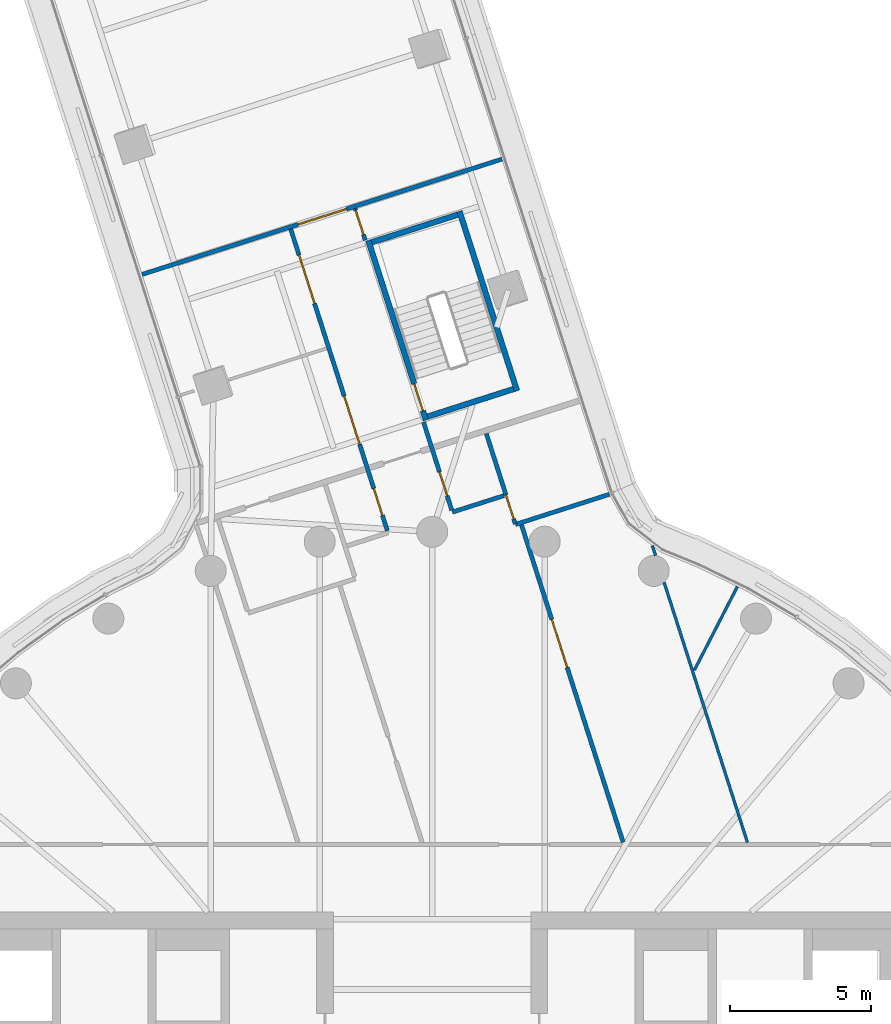
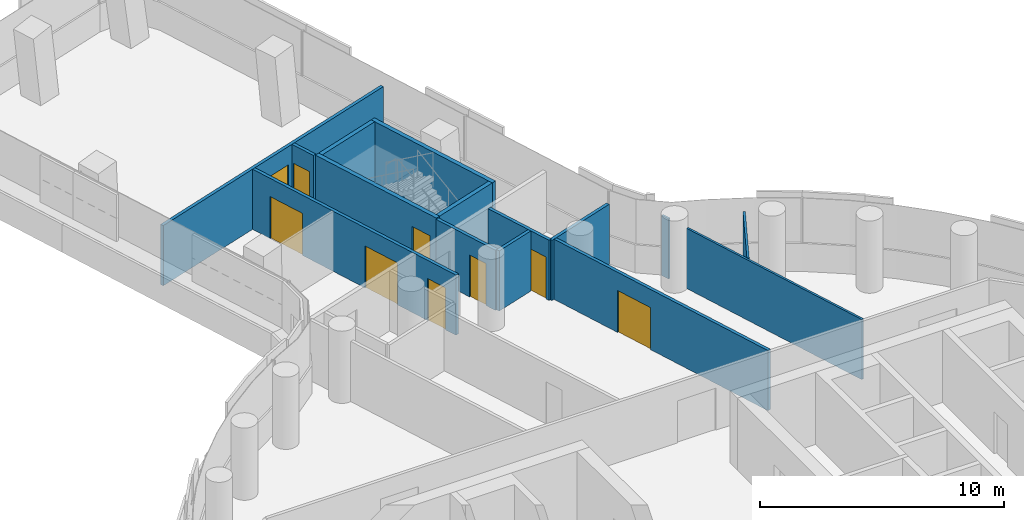
# One storey, part 22 of 30: 15 walls, 9 doors, 9 openings.
"""IFC4 building model written with IfcOpenShell, lengths in metres."""

from ifc_helpers import new_model, si_unit, direction, frame, frame_2d, origin, place, context, subcontext, project, spatial, polyline, rectangle, outline, extrude, material, layer, layer_set, type_object, element, fill, save


model = new_model("IFC4")

# Units and contexts
model_context = context("Model", 3, precision=1e-05, world=origin(), true_north=direction((0.0, 1.0)))
body_context = subcontext(model_context, "Body", "Model", "MODEL_VIEW")
ifc_project = project(units=[si_unit("LENGTHUNIT", "METRE"), si_unit("AREAUNIT", "SQUARE_METRE"), si_unit("VOLUMEUNIT", "CUBIC_METRE"), si_unit("PLANEANGLEUNIT", "RADIAN"), si_unit("MASSUNIT", "GRAM", prefix="KILO")], contexts=[model_context])

# Site, building, storey
site_placement = place(None, origin())
site = spatial("IfcSite", under=ifc_project, at=site_placement, CompositionType="ELEMENT")
building_placement = place(site_placement, origin())
building = spatial("IfcBuilding", under=site, at=building_placement, Name="Tamarind Cross Interchange Tower", CompositionType="ELEMENT")
storey_placement = place(building_placement, frame((0.0, 0.0, 98.5)))
storey = spatial("IfcBuildingStorey", under=building, at=storey_placement, Name="L23", CompositionType="ELEMENT", Elevation=98.5)

# Walls
ifc_material_1 = material(Name="Gypsum board partition on steel studs", Category="steel")
ifc_layer_1 = layer(ifc_material_1, 0.10009765625)
ifc_layer_set_1 = layer_set([ifc_layer_1], Name="Gypsum board partition on steel studs")
wall_type_1 = type_object("IfcWallType", Name="Partition 100 mm EI 90", PredefinedType="PARTITIONING", material=ifc_layer_set_1)
wall_1_placement = place(storey_placement, frame((7.81640625, 22.51220703125, 0.0), z_axis=(0.0, 0.0, 1.0), x_axis=(0.304657370026, -0.952462013357, 0.0)))
element("IfcWall", 1, at=wall_1_placement, inside=storey, type_object=wall_type_1, Name="Partition L23-026", PredefinedType="PARTITIONING", context=body_context, shape_type="SweptSolid", body=[
    extrude(rectangle(XDim=0.374267578125, YDim=0.10009765625, at=frame_2d((0.18701171875, 0.0))), origin(), (0.0, 0.0, 1.0), 3.010009765625),
])
wall_2_placement = place(storey_placement, frame((8.232177734375, 21.213623046875, 0.0), z_axis=(0.0, 0.0, 1.0), x_axis=(0.305097010863, -0.952321276651, 0.0)))
element("IfcWall", 2, at=wall_2_placement, inside=storey, type_object=wall_type_1, Name="Partition L23-027", PredefinedType="PARTITIONING", context=body_context, shape_type="SweptSolid", body=[
    extrude(rectangle(XDim=9.704833984375, YDim=0.10009765625, at=frame_2d((4.8525390625, 0.0))), origin(), (0.0, 0.0, 1.0), 3.010009765625),
])
wall_3_placement = place(storey_placement, frame((9.309326171875, 18.089111328125, 0.0), z_axis=(0.0, 0.0, 1.0), x_axis=(0.457657037475, 0.889128807344, 0.0)))
element("IfcWall", 3, at=wall_3_placement, inside=storey, type_object=wall_type_1, Name="Partition L23-081", PredefinedType="PARTITIONING", context=body_context, shape_type="SweptSolid", body=[
    extrude(rectangle(XDim=3.337890625, YDim=0.10009765625, at=frame_2d((1.6689453125, 0.0))), origin(), (0.0, 0.0, 1.0), 3.010009765625),
])

# Wall, openings, doors
ifc_layer_2 = layer(ifc_material_1, 0.14990234375)
ifc_layer_set_2 = layer_set([ifc_layer_2], Name="Gypsum board partition on steel studs")
wall_type_2 = type_object("IfcWallType", Name="Partition 150 mm EI 120", PredefinedType="PARTITIONING", material=ifc_layer_set_2)
wall_4_placement = place(storey_placement, frame((-5.025146484375, 33.752685546875, 0.0), z_axis=(0.0, 0.0, 1.0), x_axis=(0.305060744487, -0.952332894619, 0.0)))
wall_4 = element("IfcWall", 4, at=wall_4_placement, inside=storey, type_object=wall_type_2, Name="Partition L23-012", PredefinedType="PARTITIONING", context=body_context, shape_type="SweptSolid", body=[
    extrude(rectangle(XDim=11.250732421875, YDim=0.14990234375, at=frame_2d((5.62548828125, 0.0))), origin(), (0.0, 0.0, 1.0), 3.010009765625),
])
opening_1_placement = place(wall_4_placement, frame((9.675048828125, 0.0, 0.0)))
opening_1 = element("IfcOpeningElement", 5, at=opening_1_placement, cuts=wall_4, Name="Opening D04", PredefinedType="OPENING", context=body_context, shape_type="SweptSolid", body=[
    extrude(rectangle(XDim=1.0, YDim=2.10009765625, at=frame_2d((0.5, 1.050048828125))), frame((0.0, 0.0849609375, 0.0), z_axis=(0.0, -1.0, 0.0), x_axis=(1.0, 0.0, 0.0)), (0.0, 0.0, 1.0), 0.169921875),
])
opening_2_placement = place(wall_4_placement, frame((0.97509765625, 0.0, 0.0)))
opening_2 = element("IfcOpeningElement", 6, at=opening_2_placement, cuts=wall_4, Name="Opening D05", PredefinedType="OPENING", context=body_context, shape_type="SweptSolid", body=[
    extrude(rectangle(XDim=1.800048828125, YDim=2.10009765625, at=frame_2d((0.89990234375, 1.050048828125))), frame((0.0, 0.0849609375, 0.0), z_axis=(0.0, -1.0, 0.0), x_axis=(1.0, 0.0, 0.0)), (0.0, 0.0, 1.0), 0.169921875),
])
opening_3_placement = place(wall_4_placement, frame((6.2255859375, 0.0, 0.0)))
opening_3 = element("IfcOpeningElement", 7, at=opening_3_placement, cuts=wall_4, Name="Opening D06", PredefinedType="OPENING", context=body_context, shape_type="SweptSolid", body=[
    extrude(rectangle(XDim=1.800048828125, YDim=2.10009765625, at=frame_2d((0.89990234375, 1.050048828125))), frame((0.0, 0.0849609375, 0.0), z_axis=(0.0, -1.0, 0.0), x_axis=(1.0, 0.0, 0.0)), (0.0, 0.0, 1.0), 0.169921875),
])
ifc_material_2 = material(Name="Fire-resisting door set")
door_type_1 = type_object("IfcDoorType", Name="Interior door 1000 x 2100 FD60S", OperationType="SINGLE_SWING_LEFT", PredefinedType="DOOR", material=ifc_material_2)
door_1_placement = place(opening_1_placement, frame((1.0, 0.0, 0.0), z_axis=(0.0, 0.0, 1.0), x_axis=(-1.0, 0.0, 0.0)))
door_1 = element("IfcDoor", 8, at=door_1_placement, inside=storey, type_object=door_type_1, Name="Door D04", OperationType="SINGLE_SWING_RIGHT", OverallHeight=2.10009765625, OverallWidth=1.0, PredefinedType="DOOR", context=body_context, shape_type="SweptSolid", body=[
    extrude(rectangle(XDim=1.0, YDim=2.10009765625, at=frame_2d((0.5, 1.050048828125))), frame((0.0, 0.02490234375, 0.0), z_axis=(0.0, -1.0, 0.0), x_axis=(1.0, 0.0, 0.0)), (0.0, 0.0, 1.0), 0.050048828125),
])
fill(opening_1, door_1)
door_type_2 = type_object("IfcDoorType", Name="Interior door 1800 x 2100 FD60S", OperationType="DOUBLE_DOOR_SINGLE_SWING", PredefinedType="DOOR", material=ifc_material_2)
door_2_placement = place(opening_2_placement, frame((1.800048828125, 0.0, 0.0), z_axis=(0.0, 0.0, 1.0), x_axis=(-1.0, 0.0, 0.0)))
door_2 = element("IfcDoor", 9, at=door_2_placement, inside=storey, type_object=door_type_2, Name="Door D05", OperationType="DOUBLE_DOOR_SINGLE_SWING", OverallHeight=2.10009765625, OverallWidth=1.800048828125, PredefinedType="DOOR", context=body_context, shape_type="SweptSolid", body=[
    extrude(rectangle(XDim=1.800048828125, YDim=2.10009765625, at=frame_2d((0.89990234375, 1.050048828125))), frame((0.0, 0.02490234375, 0.0), z_axis=(0.0, -1.0, 0.0), x_axis=(1.0, 0.0, 0.0)), (0.0, 0.0, 1.0), 0.050048828125),
])
fill(opening_2, door_2)
door_3_placement = place(opening_3_placement, frame((1.800048828125, 0.0, 0.0), z_axis=(0.0, 0.0, 1.0), x_axis=(-1.0, 0.0, 0.0)))
door_3 = element("IfcDoor", 10, at=door_3_placement, inside=storey, type_object=door_type_2, Name="Door D06", OperationType="DOUBLE_DOOR_SINGLE_SWING", OverallHeight=2.10009765625, OverallWidth=1.800048828125, PredefinedType="DOOR", context=body_context, shape_type="SweptSolid", body=[
    extrude(rectangle(XDim=1.800048828125, YDim=2.10009765625, at=frame_2d((0.89990234375, 1.050048828125))), frame((0.0, 0.02490234375, 0.0), z_axis=(0.0, -1.0, 0.0), x_axis=(1.0, 0.0, 0.0)), (0.0, 0.0, 1.0), 0.050048828125),
])
fill(opening_3, door_3)

# Wall, opening, door
wall_5_placement = place(storey_placement, frame((-2.739013671875, 34.484619140625, 0.0), z_axis=(0.0, 0.0, 1.0), x_axis=(0.305022327236, -0.95234519996, 0.0)))
wall_5 = element("IfcWall", 11, at=wall_5_placement, inside=storey, type_object=wall_type_2, Name="Partition L23-015", PredefinedType="PARTITIONING", context=body_context, shape_type="SweptSolid", body=[
    extrude(rectangle(XDim=1.185302734375, YDim=0.14990234375, at=frame_2d((0.5927734375, 0.0))), origin(), (0.0, 0.0, 1.0), 3.010009765625),
])
opening_4_placement = place(wall_5_placement, frame((0.074951171875, 0.0, 0.0)))
opening_4 = element("IfcOpeningElement", 12, at=opening_4_placement, cuts=wall_5, Name="Opening D08", PredefinedType="OPENING", context=body_context, shape_type="SweptSolid", body=[
    extrude(rectangle(XDim=0.89990234375, YDim=2.10009765625, at=frame_2d((0.449951171875, 1.050048828125))), frame((0.0, 0.0849609375, 0.0), z_axis=(0.0, -1.0, 0.0), x_axis=(1.0, 0.0, 0.0)), (0.0, 0.0, 1.0), 0.169921875),
])
door_type_3 = type_object("IfcDoorType", Name="Interior door 900 x 2100 FD60S", OperationType="SINGLE_SWING_LEFT", PredefinedType="DOOR", material=ifc_material_2)
door_4_placement = place(opening_4_placement, origin())
door_4 = element("IfcDoor", 13, at=door_4_placement, inside=storey, type_object=door_type_3, Name="Door D08", OperationType="SINGLE_SWING_RIGHT", OverallHeight=2.10009765625, OverallWidth=0.89990234375, PredefinedType="DOOR", context=body_context, shape_type="SweptSolid", body=[
    extrude(rectangle(XDim=0.89990234375, YDim=2.10009765625, at=frame_2d((0.449951171875, 1.050048828125))), frame((0.0, 0.02490234375, 0.0), z_axis=(0.0, -1.0, 0.0), x_axis=(1.0, 0.0, 0.0)), (0.0, 0.0, 1.0), 0.050048828125),
])
fill(opening_4, door_4)

wall_6_placement = place(storey_placement, frame((-0.30908203125, 26.899658203125, 0.0), z_axis=(0.0, 0.0, 1.0), x_axis=(0.305150439053, -0.952304158106, 0.0)))
wall_6 = element("IfcWall", 14, at=wall_6_placement, inside=storey, type_object=wall_type_2, Name="Partition L23-016", PredefinedType="PARTITIONING", context=body_context, shape_type="SweptSolid", body=[
    extrude(rectangle(XDim=3.285888671875, YDim=0.14990234375, at=frame_2d((1.64306640625, 0.0))), origin(), (0.0, 0.0, 1.0), 3.010009765625),
])
opening_5_placement = place(wall_6_placement, frame((1.8603515625, 0.0, 0.0)))
opening_5 = element("IfcOpeningElement", 15, at=opening_5_placement, cuts=wall_6, Name="Opening D09", PredefinedType="OPENING", context=body_context, shape_type="SweptSolid", body=[
    extrude(rectangle(XDim=0.89990234375, YDim=2.10009765625, at=frame_2d((0.449951171875, 1.050048828125))), frame((0.0, 0.0849609375, 0.0), z_axis=(0.0, -1.0, 0.0), x_axis=(1.0, 0.0, 0.0)), (0.0, 0.0, 1.0), 0.169921875),
])
door_5_placement = place(opening_5_placement, origin())
door_5 = element("IfcDoor", 16, at=door_5_placement, inside=storey, type_object=door_type_3, Name="Door D09", OperationType="SINGLE_SWING_LEFT", OverallHeight=2.10009765625, OverallWidth=0.89990234375, PredefinedType="DOOR", context=body_context, shape_type="SweptSolid", body=[
    extrude(rectangle(XDim=0.89990234375, YDim=2.10009765625, at=frame_2d((0.449951171875, 1.050048828125))), frame((0.0, 0.02490234375, 0.0), z_axis=(0.0, -1.0, 0.0), x_axis=(1.0, 0.0, 0.0)), (0.0, 0.0, 1.0), 0.050048828125),
])
fill(opening_5, door_5)

wall_7_placement = place(storey_placement, frame((1.92138671875, 26.490234375, 0.0), z_axis=(0.0, 0.0, 1.0), x_axis=(0.304991265288, -0.952355148093, 0.0)))
wall_7 = element("IfcWall", 17, at=wall_7_placement, inside=storey, type_object=wall_type_2, Name="Partition L23-021", PredefinedType="PARTITIONING", context=body_context, shape_type="SweptSolid", body=[
    extrude(rectangle(XDim=3.3701171875, YDim=0.14990234375, at=frame_2d((1.68505859375, 0.0))), origin(), (0.0, 0.0, 1.0), 3.010009765625),
])
opening_6_placement = place(wall_7_placement, frame((2.290283203125, 0.0, 0.0)))
opening_6 = element("IfcOpeningElement", 18, at=opening_6_placement, cuts=wall_7, Name="Opening D12", PredefinedType="OPENING", context=body_context, shape_type="SweptSolid", body=[
    extrude(rectangle(XDim=0.89990234375, YDim=2.10009765625, at=frame_2d((0.449951171875, 1.050048828125))), frame((0.0, 0.0849609375, 0.0), z_axis=(0.0, -1.0, 0.0), x_axis=(1.0, 0.0, 0.0)), (0.0, 0.0, 1.0), 0.169921875),
])
door_6_placement = place(opening_6_placement, origin())
door_6 = element("IfcDoor", 19, at=door_6_placement, inside=storey, type_object=door_type_3, Name="Door D12", OperationType="SINGLE_SWING_LEFT", OverallHeight=2.10009765625, OverallWidth=0.89990234375, PredefinedType="DOOR", context=body_context, shape_type="SweptSolid", body=[
    extrude(rectangle(XDim=0.89990234375, YDim=2.10009765625, at=frame_2d((0.449951171875, 1.050048828125))), frame((0.0, 0.02490234375, 0.0), z_axis=(0.0, -1.0, 0.0), x_axis=(1.0, 0.0, 0.0)), (0.0, 0.0, 1.0), 0.050048828125),
])
fill(opening_6, door_6)

wall_8_placement = place(storey_placement, frame((3.1689453125, 23.251708984375, 0.0), z_axis=(0.0, 0.0, 1.0), x_axis=(0.305041437483, -0.952339079015, 0.0)))
wall_8 = element("IfcWall", 20, at=wall_8_placement, inside=storey, type_object=wall_type_2, Name="Partition L23-023", PredefinedType="PARTITIONING", context=body_context, shape_type="SweptSolid", body=[
    extrude(rectangle(XDim=11.834716796875, YDim=0.14990234375, at=frame_2d((5.91748046875, 0.0))), origin(), (0.0, 0.0, 1.0), 3.010009765625),
])
opening_7_placement = place(wall_8_placement, frame((3.52490234375, 0.0, 0.0)))
opening_7 = element("IfcOpeningElement", 21, at=opening_7_placement, cuts=wall_8, Name="Opening D16", PredefinedType="OPENING", context=body_context, shape_type="SweptSolid", body=[
    extrude(rectangle(XDim=1.800048828125, YDim=2.10009765625, at=frame_2d((0.89990234375, 1.050048828125))), frame((0.0, 0.0849609375, 0.0), z_axis=(0.0, -1.0, 0.0), x_axis=(1.0, 0.0, 0.0)), (0.0, 0.0, 1.0), 0.169921875),
])
door_7_placement = place(opening_7_placement, origin())
door_7 = element("IfcDoor", 22, at=door_7_placement, inside=storey, type_object=door_type_2, Name="Door D16", OperationType="DOUBLE_DOOR_SINGLE_SWING", OverallHeight=2.10009765625, OverallWidth=1.800048828125, PredefinedType="DOOR", context=body_context, shape_type="SweptSolid", body=[
    extrude(rectangle(XDim=1.800048828125, YDim=2.10009765625, at=frame_2d((0.89990234375, 1.050048828125))), frame((0.0, 0.02490234375, 0.0), z_axis=(0.0, -1.0, 0.0), x_axis=(1.0, 0.0, 0.0)), (0.0, 0.0, 1.0), 0.050048828125),
])
fill(opening_7, door_7)

wall_9_placement = place(storey_placement, frame((-10.301513671875, 32.14111328125, 0.0), z_axis=(0.0, 0.0, 1.0), x_axis=(0.952330286707, 0.305068885698, 0.0)))
wall_9 = element("IfcWall", 23, at=wall_9_placement, inside=storey, type_object=wall_type_2, Name="Partition L23-053", PredefinedType="PARTITIONING", context=body_context, shape_type="SweptSolid", body=[
    extrude(rectangle(XDim=13.416015625, YDim=0.14990234375, at=frame_2d((6.7080078125, 0.0))), origin(), (0.0, 0.0, 1.0), 3.010009765625),
])
opening_8_placement = place(wall_9_placement, frame((5.81640625, 0.0, 0.0)))
opening_8 = element("IfcOpeningElement", 24, at=opening_8_placement, cuts=wall_9, Name="Opening D29", PredefinedType="OPENING", context=body_context, shape_type="SweptSolid", body=[
    extrude(rectangle(XDim=1.800048828125, YDim=2.10009765625, at=frame_2d((0.89990234375, 1.050048828125))), frame((0.0, 0.0849609375, 0.0), z_axis=(0.0, -1.0, 0.0), x_axis=(1.0, 0.0, 0.0)), (0.0, 0.0, 1.0), 0.169921875),
])
door_8_placement = place(opening_8_placement, origin())
door_8 = element("IfcDoor", 25, at=door_8_placement, inside=storey, type_object=door_type_2, Name="Door D29", OperationType="DOUBLE_DOOR_SINGLE_SWING", OverallHeight=2.10009765625, OverallWidth=1.800048828125, PredefinedType="DOOR", context=body_context, shape_type="SweptSolid", body=[
    extrude(rectangle(XDim=1.800048828125, YDim=2.10009765625, at=frame_2d((0.89990234375, 1.050048828125))), frame((0.0, 0.02490234375, 0.0), z_axis=(0.0, -1.0, 0.0), x_axis=(1.0, 0.0, 0.0)), (0.0, 0.0, 1.0), 0.050048828125),
])
fill(opening_8, door_8)

# Walls
wall_10_placement = place(storey_placement, frame((0.716064453125, 23.698974609375, 0.0), z_axis=(0.0, 0.0, 1.0), x_axis=(0.952375473104, 0.304927791829, 0.0)))
element("IfcWall", 26, at=wall_10_placement, inside=storey, type_object=wall_type_2, Name="Partition L23-060", PredefinedType="PARTITIONING", context=body_context, shape_type="SweptSolid", body=[
    extrude(rectangle(XDim=1.92236328125, YDim=0.14990234375, at=frame_2d((0.961181640625, 0.0))), origin(), (0.0, 0.0, 1.0), 3.010009765625),
])
wall_11_placement = place(storey_placement, frame((2.9560546875, 23.261962890625, 0.0), z_axis=(0.0, 0.0, 1.0), x_axis=(0.952125735473, 0.30570669579, 0.0)))
element("IfcWall", 27, at=wall_11_placement, inside=storey, type_object=wall_type_2, Name="Partition L23-064", PredefinedType="PARTITIONING", context=body_context, shape_type="SweptSolid", body=[
    extrude(rectangle(XDim=3.501220703125, YDim=0.14990234375, at=frame_2d((1.75048828125, 0.0))), origin(), (0.0, 0.0, 1.0), 3.010009765625),
])

# Wall, opening, door
ifc_material_3 = material(Name="Concrete C40", Category="concrete")
ifc_layer_3 = layer(ifc_material_3, 0.199951171875)
ifc_layer_set_3 = layer_set([ifc_layer_3], Name="Concrete C40")
wall_type_3 = type_object("IfcWallType", Name="Stair shaft wall 200 mm Concrete C40", PredefinedType="SHEAR", material=ifc_layer_set_3)
wall_12_placement = place(storey_placement, frame((-0.226318359375, 26.9677734375, -0.139892578125), z_axis=(0.0, 0.0, 1.0), x_axis=(-0.305033541309, 0.952341608183, 0.0)))
wall_12 = element("IfcWall", 28, at=wall_12_placement, inside=storey, type_object=wall_type_3, Name="Core wall CWL-L23-ST4-H", PredefinedType="SHEAR", context=body_context, shape_type="SweptSolid", body=[
    extrude(rectangle(XDim=6.699951171875, YDim=0.199951171875, at=frame_2d((3.35009765625, 0.0))), origin(), (0.0, 0.0, 1.0), 3.14990234375),
])
opening_9_placement = place(wall_12_placement, frame((0.35009765625, 0.0, 0.0)))
opening_9 = element("IfcOpeningElement", 29, at=opening_9_placement, cuts=wall_12, Name="Opening ST4L23", PredefinedType="OPENING", context=body_context, shape_type="SweptSolid", body=[
    extrude(rectangle(XDim=1.0, YDim=2.10009765625, at=frame_2d((0.5, 1.050048828125))), frame((0.0, 0.10986328125, 0.0), z_axis=(0.0, -1.0, 0.0), x_axis=(1.0, 0.0, 0.0)), (0.0, 0.0, 1.0), 0.219970703125),
])
ifc_material_4 = material(Name="Steel, fire-resisting", Category="steel")
door_type_4 = type_object("IfcDoorType", Name="Core fire door 1000 x 2100 FD90", OperationType="SINGLE_SWING_LEFT", PredefinedType="DOOR", material=ifc_material_4)
door_9_placement = place(opening_9_placement, origin())
door_9 = element("IfcDoor", 30, at=door_9_placement, inside=storey, type_object=door_type_4, Name="L23 stair door ST4", OperationType="SINGLE_SWING_LEFT", OverallHeight=2.10009765625, OverallWidth=1.0, PredefinedType="DOOR", context=body_context, shape_type="SweptSolid", body=[
    extrude(rectangle(XDim=1.0, YDim=2.10009765625, at=frame_2d((0.5, 1.050048828125))), frame((0.0, 0.02490234375, 0.0), z_axis=(0.0, -1.0, 0.0), x_axis=(1.0, 0.0, 0.0)), (0.0, 0.0, 1.0), 0.050048828125),
])
fill(opening_9, door_9)

# Walls
wall_13_placement = place(storey_placement, frame((3.01171875, 28.0048828125, -0.139892578125), z_axis=(0.0, 0.0, 1.0), x_axis=(-0.305066589564, 0.952331022246, 0.0)))
element("IfcWall", 31, at=wall_13_placement, inside=storey, type_object=wall_type_3, Name="Core wall CWL-L23-ST4-C", PredefinedType="SHEAR", context=body_context, shape_type="SweptSolid", body=[
    extrude(rectangle(XDim=6.699951171875, YDim=0.199951171875, at=frame_2d((3.35009765625, 0.0))), origin(), (0.0, 0.0, 1.0), 3.14990234375),
])
wall_14_placement = place(storey_placement, frame((2.885986328125, 28.069580078125, -0.139892578125), z_axis=(0.0, 0.0, 1.0), x_axis=(-0.952347936583, -0.305013782781, 0.0)))
element("IfcWall", 32, at=wall_14_placement, inside=storey, type_object=wall_type_3, Name="Core wall CWL-L23-ST4-CE", PredefinedType="SHEAR", context=body_context, shape_type="SweptSolid", body=[
    extrude(rectangle(XDim=3.2001953125, YDim=0.199951171875, at=frame_2d((1.60009765625, 0.0))), origin(), (0.0, 0.0, 1.0), 3.14990234375),
])
wall_15_placement = place(storey_placement, frame((0.0, 0.0, -0.139892578125)))
element("IfcWall", 33, at=wall_15_placement, inside=storey, type_object=wall_type_3, Name="Core wall CWL-L23-ST4-CF", PredefinedType="SHEAR", context=body_context, shape_type="SweptSolid", body=[
    extrude(outline(polyline([(0.93359375, 34.16455078125), (0.87255859375, 34.35498046875), (-2.1748046875, 33.37890625), (-2.114013671875, 33.1884765625), (0.93359375, 34.16455078125)])), origin(), (0.0, 0.0, 1.0), 3.14990234375),
])

save(model, "model.ifc")
